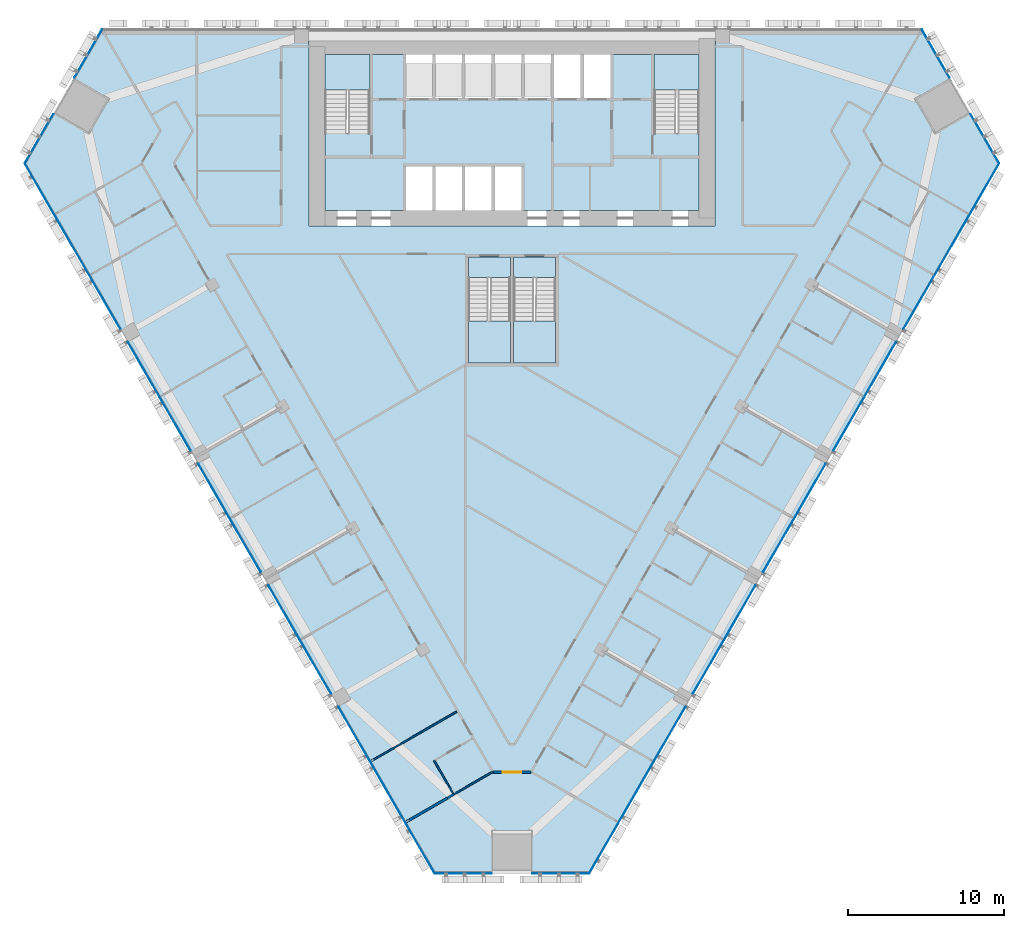
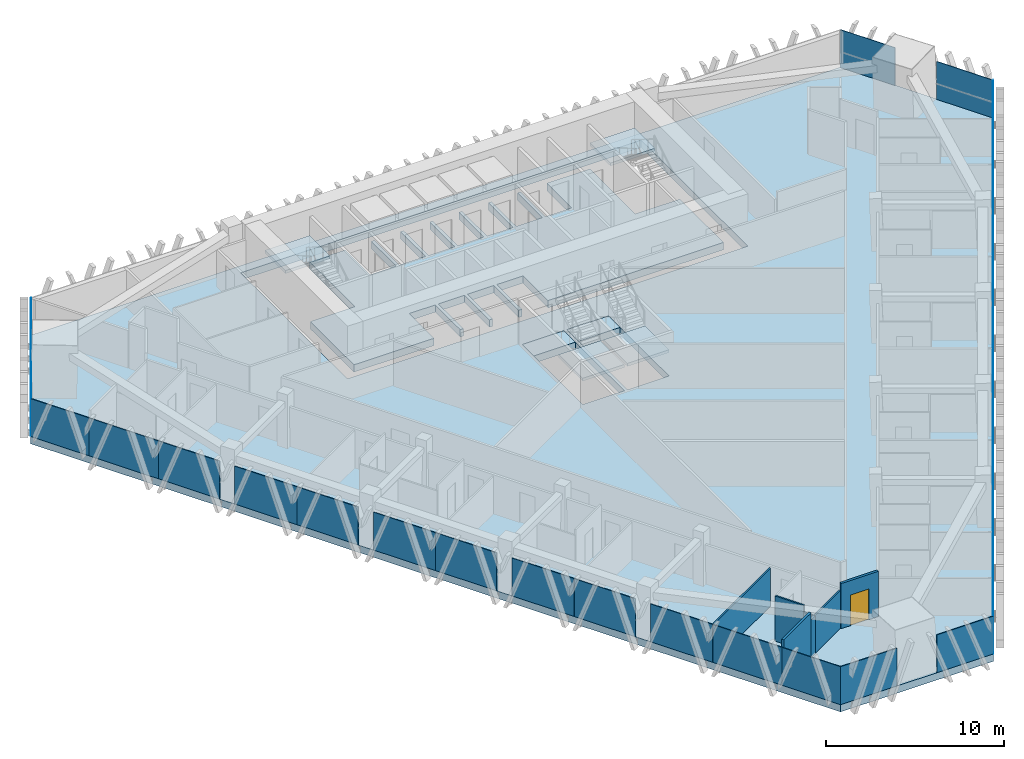
# One storey, part 9 of 17: 30 plates, 8 slabs, 7 walls, 1 door, 1 opening, 9 elements without a shape of their own.
"""IFC4 building model written with IfcOpenShell, lengths in metres."""

import ifcopenshell
import ifcopenshell.guid

model = None  # the IFC model being written
_history = None  # IfcOwnerHistory: only IFC2X3 demands one
_inside = {}  # id of a spatial element -> (the spatial element, [elements in it])
_under = {}  # id of a project, library or spatial element -> (it, [spatial elements below it])
_declared = {}  # id of a project -> (the project, [libraries it declares])
_typed = {}  # id of a type object -> (the type object, [elements of that type])
_made_of = {}  # id of a material, layer set ... -> (it, [elements and type objects made of it])


def new_model(schema):
    """Start an empty IFC model of exactly this schema.

    Asked for "IFC4X3", IfcOpenShell would pick the latest addendum, in which some entities
    have other attributes; the version numbers below select the first issue.
    IFC2X3 requires an IfcOwnerHistory on every rooted entity: one is made here for all.
    """
    global model, _history
    if schema == "IFC4X3":
        model = ifcopenshell.file(schema_version=(4, 3, 0, 0))
    else:
        model = ifcopenshell.file(schema=schema)
    _inside.clear()
    _under.clear()
    _declared.clear()
    _typed.clear()
    _made_of.clear()
    _history = None
    if model.schema == "IFC2X3":
        org = make("IfcOrganization", Name="unknown")
        user = make(
            "IfcPersonAndOrganization",
            ThePerson=make("IfcPerson", FamilyName="unknown"),
            TheOrganization=org,
        )
        app = make(
            "IfcApplication",
            ApplicationDeveloper=org,
            Version="unknown",
            ApplicationFullName="unknown",
            ApplicationIdentifier="unknown",
        )
        _history = make(
            "IfcOwnerHistory",
            OwningUser=user,
            OwningApplication=app,
            ChangeAction="ADDED",
            CreationDate=0,
        )
    return model


def make(cls, **values):
    """One entity of the class cls with the attributes given. An attribute that is None is left unset."""
    return model.create_entity(
        cls, **{name: value for name, value in values.items() if value is not None}
    )


def rooted(cls, **values):
    """An entity with a GlobalId (a new one), such as an element, a storey or a relation."""
    return make(cls, GlobalId=ifcopenshell.guid.new(), OwnerHistory=_history, **values)


def si_unit(unit_type, name, prefix=None):
    """IfcSIUnit, for example si_unit("LENGTHUNIT", "METRE", prefix="MILLI")."""
    return make("IfcSIUnit", UnitType=unit_type, Prefix=prefix, Name=name)


def assignment(units):
    """IfcUnitAssignment: the units of a project."""
    return None if units is None else make("IfcUnitAssignment", Units=units)


def point(xyz):
    """IfcCartesianPoint."""
    return None if xyz is None else make("IfcCartesianPoint", Coordinates=xyz)


def direction(xyz):
    """IfcDirection."""
    return None if xyz is None else make("IfcDirection", DirectionRatios=xyz)


def frame(location, z_axis=None, x_axis=None):
    """IfcAxis2Placement3D, a coordinate frame: its origin and axes. An axis left out is left unset."""
    return make(
        "IfcAxis2Placement3D",
        Location=point(location),
        Axis=direction(z_axis),
        RefDirection=direction(x_axis),
    )


def frame_2d(location, x_axis=None):
    """IfcAxis2Placement2D, a coordinate frame in the plane: its origin and x axis."""
    return make(
        "IfcAxis2Placement2D", Location=point(location), RefDirection=direction(x_axis)
    )


def origin():
    """The frame at (0, 0, 0) with its axes left unset."""
    return frame((0.0, 0.0, 0.0))


def origin_2d():
    """The frame at (0, 0) in the plane with its x axis left unset."""
    return frame_2d((0.0, 0.0))


def place(relative_to, where):
    """IfcLocalPlacement: puts the frame where relative to a parent placement (None: the world)."""
    return make(
        "IfcLocalPlacement", PlacementRelTo=relative_to, RelativePlacement=where
    )


def context(
    kind, dimensions, precision=None, world=None, true_north=None, identifier=None
):
    """IfcGeometricRepresentationContext, for example the 3D "Model" context."""
    return make(
        "IfcGeometricRepresentationContext",
        ContextIdentifier=identifier,
        ContextType=kind,
        CoordinateSpaceDimension=dimensions,
        Precision=precision,
        WorldCoordinateSystem=world,
        TrueNorth=true_north,
    )


def subcontext(parent, identifier, kind, view, scale=None):
    """IfcGeometricRepresentationSubContext, for example "Body" below "Model"."""
    return make(
        "IfcGeometricRepresentationSubContext",
        ContextIdentifier=identifier,
        ContextType=kind,
        ParentContext=parent,
        TargetScale=scale,
        TargetView=view,
    )


def project(units=None, contexts=None):
    """IfcProject with its units and contexts."""
    return rooted(
        "IfcProject",
        Name="project",
        RepresentationContexts=contexts,
        UnitsInContext=assignment(units),
    )


def spatial(cls, under=None, at=None, **own):
    """A site, building, storey or space (cls), placed at a placement, below another one or the project."""
    s = rooted(cls, ObjectPlacement=at, **own)
    if under is not None:
        _under.setdefault(under.id(), (under, []))[1].append(s)
    return s


def polyline(points):
    """IfcPolyline through the points."""
    return make("IfcPolyline", Points=[point(p) for p in points])


def profile(cls, at=None, kind="AREA", **sizes):
    """A parametric profile (cls). Its sizes go by their IFC names, for example OverallWidth=200.0."""
    return make(cls, ProfileType=kind, Position=at, **sizes)


def rectangle(**sizes):
    """IfcRectangleProfileDef."""
    return profile("IfcRectangleProfileDef", **sizes)


def outline(outer, holes=None, kind="AREA"):
    """IfcArbitraryClosedProfileDef: a profile drawn as a closed curve; with holes, ...WithVoids."""
    if holes is None:
        return make("IfcArbitraryClosedProfileDef", ProfileType=kind, OuterCurve=outer)
    return make(
        "IfcArbitraryProfileDefWithVoids",
        ProfileType=kind,
        OuterCurve=outer,
        InnerCurves=holes,
    )


def extrude(swept, where, along, depth):
    """IfcExtrudedAreaSolid: the profile swept, set in the frame where, extruded along a direction by depth."""
    return make(
        "IfcExtrudedAreaSolid",
        SweptArea=swept,
        Position=where,
        ExtrudedDirection=direction(along),
        Depth=depth,
    )


def shape(context_of_items, identifier, shape_type, items):
    """IfcShapeRepresentation: the items that make up one representation, for example the "Body"."""
    return make(
        "IfcShapeRepresentation",
        ContextOfItems=context_of_items,
        RepresentationIdentifier=identifier,
        RepresentationType=shape_type,
        Items=items,
    )


def material(Name=None, Category=None):
    """IfcMaterial."""
    return make("IfcMaterial", Name=Name, Category=Category)


def layer(
    of_material, thickness, ventilated=None, Name=None, Category=None, Priority=None
):
    """IfcMaterialLayer: one layer of a wall or slab, of a material (None: an air gap)."""
    return make(
        "IfcMaterialLayer",
        Material=of_material,
        LayerThickness=thickness,
        IsVentilated=ventilated,
        Name=Name,
        Category=Category,
        Priority=Priority,
    )


def layer_set(layers, Name=None):
    """IfcMaterialLayerSet."""
    return make("IfcMaterialLayerSet", MaterialLayers=layers, LayerSetName=Name)


def made_of(thing, what):
    """Note that an element or type object is made of a material, layer set ...; save() writes the relation."""
    if what is not None:
        _made_of.setdefault(what.id(), (what, []))[1].append(thing)
    return thing


def type_object(cls, material=None, **own):
    """A type object (cls), such as IfcWallType, which elements share."""
    return made_of(rooted(cls, **own), material)


def element(
    cls,
    number,
    at=None,
    inside=None,
    cuts=None,
    type_object=None,
    material=None,
    context=None,
    identifier="Body",
    shape_type=None,
    held_by="IfcProductDefinitionShape",
    body=None,
    shapes=None,
    **own,
):
    """One element of the class cls, such as IfcWall. Its Tag is "e" and its number.

    at: its placement. inside: the storey or other place that contains it. cuts: it is an
    opening in that element (IfcRelVoidsElement). A single representation is given by context,
    identifier, shape_type and body (its items); several are given by shapes. held_by: the class
    of the entity that holds the representations. save() writes the other relations.
    """
    e = rooted(cls, Tag="e%d" % number, ObjectPlacement=at, **own)
    if body is not None:
        shapes = [shape(context, identifier, shape_type, body)]
    if shapes is not None:
        e.Representation = make(held_by, Representations=shapes)
    if inside is not None:
        _inside.setdefault(inside.id(), (inside, []))[1].append(e)
    if cuts is not None:
        rooted(
            "IfcRelVoidsElement", RelatingBuildingElement=cuts, RelatedOpeningElement=e
        )
    if type_object is not None:
        _typed.setdefault(type_object.id(), (type_object, []))[1].append(e)
    return made_of(e, material)


def fill(opening, filler):
    """IfcRelFillsElement: the door or window that sits in an opening."""
    return rooted(
        "IfcRelFillsElement",
        RelatingOpeningElement=opening,
        RelatedBuildingElement=filler,
    )


def aggregate(whole, parts):
    """IfcRelAggregates: a whole, such as a stair, and the parts it consists of."""
    return rooted("IfcRelAggregates", RelatingObject=whole, RelatedObjects=parts)


def save(model, path):
    """Write the relations noted so far, then the file.

    IfcRelAggregates (storeys below a building ...), IfcRelContainedInSpatialStructure (elements
    in a storey), IfcRelDefinesByType, IfcRelAssociatesMaterial and IfcRelDeclares: one each for
    every whole, place, type object, material and project.
    """
    for whole, parts in _under.values():
        aggregate(whole, parts)
    for where, things in _inside.values():
        rooted(
            "IfcRelContainedInSpatialStructure",
            RelatedElements=things,
            RelatingStructure=where,
        )
    for kind, things in _typed.values():
        rooted("IfcRelDefinesByType", RelatedObjects=things, RelatingType=kind)
    for what, things in _made_of.values():
        rooted("IfcRelAssociatesMaterial", RelatedObjects=things, RelatingMaterial=what)
    for by, libraries in _declared.values():
        rooted("IfcRelDeclares", RelatingContext=by, RelatedDefinitions=libraries)
    model.write(path)


model = new_model("IFC4")

# Units and contexts
model_context = context("Model", 3, precision=1e-05, world=origin(), true_north=direction((0.0, 1.0)))
body_context = subcontext(model_context, "Body", "Model", "MODEL_VIEW")
ifc_project = project(units=[si_unit("LENGTHUNIT", "METRE"), si_unit("AREAUNIT", "SQUARE_METRE"), si_unit("VOLUMEUNIT", "CUBIC_METRE"), si_unit("PLANEANGLEUNIT", "RADIAN"), si_unit("MASSUNIT", "GRAM", prefix="KILO")], contexts=[model_context])

# Site, building, storey
site_placement = place(None, origin())
site = spatial("IfcSite", under=ifc_project, at=site_placement, CompositionType="ELEMENT")
building_placement = place(site_placement, origin())
building = spatial("IfcBuilding", under=site, at=building_placement, Name="Altiplano Prism Tower", CompositionType="ELEMENT")
storey_placement = place(building_placement, frame((0.0, 0.0, 30.60009765625)))
storey = spatial("IfcBuildingStorey", under=building, at=storey_placement, Name="L06", CompositionType="ELEMENT", Elevation=30.60009765625)

# Curtain wall, plates
ifc_material_1 = material(Name="Aluminium and glass", Category="aluminium")
ifc_layer_1 = layer(ifc_material_1, 0.280029296875)
ifc_layer_set_1 = layer_set([ifc_layer_1], Name="Aluminium and glass")
curtain_wall_type = type_object("IfcCurtainWallType", Name="CW1 typical co-living unitised curtain wall", PredefinedType="NOTDEFINED", material=ifc_layer_set_1)
curtain_wall_1_placement = place(storey_placement, origin())
curtain_wall_1 = element("IfcCurtainWall", 1, at=curtain_wall_1_placement, inside=storey, type_object=curtain_wall_type, Name="CW1 curtain wall north-west chamfer L06", PredefinedType="NOTDEFINED")
ifc_material_2 = material(Name="Clear glass", Category="glass")
ifc_layer_2 = layer(ifc_material_2, 0.0400390625)
ifc_layer_set_2 = layer_set([ifc_layer_2], Name="Clear glass")
plate_type = type_object("IfcPlateType", Name="CW1 insulated glass unit 40", PredefinedType="CURTAIN_PANEL", material=ifc_layer_set_2)
plate_1_placement = place(storey_placement, frame((57.831787109375, 103.439208984375, -0.000244140625), z_axis=(0.0, 0.0, 1.0), x_axis=(-0.500000002721, -0.866025402214, 0.0)))
plate_1 = element("IfcPlate", 2, at=plate_1_placement, type_object=plate_type, Name="CW1 panel", PredefinedType="CURTAIN_PANEL", context=body_context, shape_type="SweptSolid", body=[
    extrude(rectangle(XDim=3.571533203125, YDim=0.0400390625, at=origin_2d()), origin(), (0.0, 0.0, 1.0), 2.60009765625),
])
plate_2_placement = place(storey_placement, frame((54.68115234375, 97.98193359375, -0.000244140625), z_axis=(0.0, 0.0, 1.0), x_axis=(-0.500000002721, -0.866025402214, 0.0)))
plate_2 = element("IfcPlate", 3, at=plate_2_placement, type_object=plate_type, Name="CW1 panel", PredefinedType="CURTAIN_PANEL", context=body_context, shape_type="SweptSolid", body=[
    extrude(rectangle(XDim=3.651611328125, YDim=0.0400390625, at=origin_2d()), origin(), (0.0, 0.0, 1.0), 2.60009765625),
])
aggregate(curtain_wall_1, [plate_1, plate_2])

curtain_wall_2_placement = place(storey_placement, origin())
curtain_wall_2 = element("IfcCurtainWall", 4, at=curtain_wall_2_placement, inside=storey, type_object=curtain_wall_type, Name="CW1 curtain wall south-west face L06", PredefinedType="NOTDEFINED")
plate_3_placement = place(storey_placement, frame((54.71337890625, 94.775146484375, -0.000244140625), z_axis=(0.0, 0.0, 1.0), x_axis=(0.500000001557, -0.866025402886, 0.0)))
plate_3 = element("IfcPlate", 5, at=plate_3_placement, type_object=plate_type, Name="CW1 panel", PredefinedType="CURTAIN_PANEL", context=body_context, shape_type="SweptSolid", body=[
    extrude(rectangle(XDim=3.780029296875, YDim=0.0400390625, at=origin_2d()), origin(), (0.0, 0.0, 1.0), 2.60009765625),
])
plate_4_placement = place(storey_placement, frame((56.785888671875, 91.185546875, -0.000244140625), z_axis=(0.0, 0.0, 1.0), x_axis=(0.500000001557, -0.866025402886, 0.0)))
plate_4 = element("IfcPlate", 6, at=plate_4_placement, type_object=plate_type, Name="CW1 panel", PredefinedType="CURTAIN_PANEL", context=body_context, shape_type="SweptSolid", body=[
    extrude(rectangle(XDim=4.489990234375, YDim=0.0400390625, at=origin_2d()), origin(), (0.0, 0.0, 1.0), 2.60009765625),
])
plate_5_placement = place(storey_placement, frame((58.9033203125, 87.517822265625, -0.000244140625), z_axis=(0.0, 0.0, 1.0), x_axis=(0.500000001557, -0.866025402886, 0.0)))
plate_5 = element("IfcPlate", 7, at=plate_5_placement, type_object=plate_type, Name="CW1 panel", PredefinedType="CURTAIN_PANEL", context=body_context, shape_type="SweptSolid", body=[
    extrude(rectangle(XDim=3.96044921875, YDim=0.0400390625, at=origin_2d()), origin(), (0.0, 0.0, 1.0), 2.60009765625),
])
plate_6_placement = place(storey_placement, frame((61.3984375, 83.1962890625, -0.000244140625), z_axis=(0.0, 0.0, 1.0), x_axis=(0.500000001557, -0.866025402886, 0.0)))
plate_6 = element("IfcPlate", 8, at=plate_6_placement, type_object=plate_type, Name="CW1 panel", PredefinedType="CURTAIN_PANEL", context=body_context, shape_type="SweptSolid", body=[
    extrude(rectangle(XDim=4.039306640625, YDim=0.0400390625, at=origin_2d()), origin(), (0.0, 0.0, 1.0), 2.60009765625),
])
plate_7_placement = place(storey_placement, frame((63.4033203125, 79.723388671875, -0.000244140625), z_axis=(0.0, 0.0, 1.0), x_axis=(0.500000001557, -0.866025402886, 0.0)))
plate_7 = element("IfcPlate", 9, at=plate_7_placement, type_object=plate_type, Name="CW1 panel", PredefinedType="CURTAIN_PANEL", context=body_context, shape_type="SweptSolid", body=[
    extrude(rectangle(XDim=3.96044921875, YDim=0.0400390625, at=origin_2d()), origin(), (0.0, 0.0, 1.0), 2.60009765625),
])
plate_8_placement = place(storey_placement, frame((65.8984375, 75.40185546875, -0.000244140625), z_axis=(0.0, 0.0, 1.0), x_axis=(0.500000001557, -0.866025402886, 0.0)))
plate_8 = element("IfcPlate", 10, at=plate_8_placement, type_object=plate_type, Name="CW1 panel", PredefinedType="CURTAIN_PANEL", context=body_context, shape_type="SweptSolid", body=[
    extrude(rectangle(XDim=4.039306640625, YDim=0.0400390625, at=origin_2d()), origin(), (0.0, 0.0, 1.0), 2.60009765625),
])
plate_9_placement = place(storey_placement, frame((67.9033203125, 71.92919921875, -0.000244140625), z_axis=(0.0, 0.0, 1.0), x_axis=(0.500000001557, -0.866025402886, 0.0)))
plate_9 = element("IfcPlate", 11, at=plate_9_placement, type_object=plate_type, Name="CW1 panel", PredefinedType="CURTAIN_PANEL", context=body_context, shape_type="SweptSolid", body=[
    extrude(rectangle(XDim=3.96044921875, YDim=0.0400390625, at=origin_2d()), origin(), (0.0, 0.0, 1.0), 2.60009765625),
])
plate_10_placement = place(storey_placement, frame((70.3984375, 67.607666015625, -0.000244140625), z_axis=(0.0, 0.0, 1.0), x_axis=(0.500000001557, -0.866025402886, 0.0)))
plate_10 = element("IfcPlate", 12, at=plate_10_placement, type_object=plate_type, Name="CW1 panel", PredefinedType="CURTAIN_PANEL", context=body_context, shape_type="SweptSolid", body=[
    extrude(rectangle(XDim=4.039306640625, YDim=0.0400390625, at=origin_2d()), origin(), (0.0, 0.0, 1.0), 2.60009765625),
])
plate_11_placement = place(storey_placement, frame((72.4033203125, 64.135009765625, -0.000244140625), z_axis=(0.0, 0.0, 1.0), x_axis=(0.500000001557, -0.866025402886, 0.0)))
plate_11 = element("IfcPlate", 13, at=plate_11_placement, type_object=plate_type, Name="CW1 panel", PredefinedType="CURTAIN_PANEL", context=body_context, shape_type="SweptSolid", body=[
    extrude(rectangle(XDim=3.96044921875, YDim=0.0400390625, at=origin_2d()), origin(), (0.0, 0.0, 1.0), 2.60009765625),
])
plate_12_placement = place(storey_placement, frame((74.8984375, 59.8134765625, -0.000244140625), z_axis=(0.0, 0.0, 1.0), x_axis=(0.500000001557, -0.866025402886, 0.0)))
plate_12 = element("IfcPlate", 14, at=plate_12_placement, type_object=plate_type, Name="CW1 panel", PredefinedType="CURTAIN_PANEL", context=body_context, shape_type="SweptSolid", body=[
    extrude(rectangle(XDim=4.039306640625, YDim=0.0400390625, at=origin_2d()), origin(), (0.0, 0.0, 1.0), 2.60009765625),
])
plate_13_placement = place(storey_placement, frame((77.035888671875, 56.111572265625, -0.000244140625), z_axis=(0.0, 0.0, 1.0), x_axis=(0.500000001557, -0.866025402886, 0.0)))
plate_13 = element("IfcPlate", 15, at=plate_13_placement, type_object=plate_type, Name="CW1 panel", PredefinedType="CURTAIN_PANEL", context=body_context, shape_type="SweptSolid", body=[
    extrude(rectangle(XDim=4.489990234375, YDim=0.0400390625, at=origin_2d()), origin(), (0.0, 0.0, 1.0), 2.60009765625),
])
plate_14_placement = place(storey_placement, frame((79.1083984375, 52.521728515625, -0.000244140625), z_axis=(0.0, 0.0, 1.0), x_axis=(0.500000001557, -0.866025402886, 0.0)))
plate_14 = element("IfcPlate", 16, at=plate_14_placement, type_object=plate_type, Name="CW1 panel", PredefinedType="CURTAIN_PANEL", context=body_context, shape_type="SweptSolid", body=[
    extrude(rectangle(XDim=3.780029296875, YDim=0.0400390625, at=origin_2d()), origin(), (0.0, 0.0, 1.0), 2.60009765625),
])
aggregate(curtain_wall_2, [plate_3, plate_4, plate_5, plate_6, plate_7, plate_8, plate_9, plate_10, plate_11, plate_12, plate_13, plate_14])

curtain_wall_3_placement = place(storey_placement, origin())
curtain_wall_3 = element("IfcCurtainWall", 17, at=curtain_wall_3_placement, inside=storey, type_object=curtain_wall_type, Name="CW1 curtain wall south chamfer L06", PredefinedType="NOTDEFINED")
plate_15_placement = place(storey_placement, frame((81.869140625, 50.890625, -0.000244140625), z_axis=(0.0, 0.0, 1.0), x_axis=(1.0, 0.0, 0.0)))
plate_15 = element("IfcPlate", 18, at=plate_15_placement, type_object=plate_type, Name="CW1 panel", PredefinedType="CURTAIN_PANEL", context=body_context, shape_type="SweptSolid", body=[
    extrude(rectangle(XDim=3.651611328125, YDim=0.0400390625, at=origin_2d()), origin(), (0.0, 0.0, 1.0), 2.60009765625),
])
plate_16_placement = place(storey_placement, frame((88.130859375, 50.890625, -0.000244140625), z_axis=(0.0, 0.0, 1.0), x_axis=(1.0, 0.0, 0.0)))
plate_16 = element("IfcPlate", 19, at=plate_16_placement, type_object=plate_type, Name="CW1 panel", PredefinedType="CURTAIN_PANEL", context=body_context, shape_type="SweptSolid", body=[
    extrude(rectangle(XDim=3.651611328125, YDim=0.0400390625, at=origin_2d()), origin(), (0.0, 0.0, 1.0), 2.60009765625),
])
aggregate(curtain_wall_3, [plate_15, plate_16])

curtain_wall_4_placement = place(storey_placement, origin())
curtain_wall_4 = element("IfcCurtainWall", 20, at=curtain_wall_4_placement, inside=storey, type_object=curtain_wall_type, Name="CW1 curtain wall south-east face L06", PredefinedType="NOTDEFINED")
plate_17_placement = place(storey_placement, frame((90.8916015625, 52.521728515625, -0.000244140625), z_axis=(0.0, 0.0, 1.0), x_axis=(0.500000001557, 0.866025402886, 0.0)))
plate_17 = element("IfcPlate", 21, at=plate_17_placement, type_object=plate_type, Name="CW1 panel", PredefinedType="CURTAIN_PANEL", context=body_context, shape_type="SweptSolid", body=[
    extrude(rectangle(XDim=3.780029296875, YDim=0.0400390625, at=origin_2d()), origin(), (0.0, 0.0, 1.0), 2.60009765625),
])
plate_18_placement = place(storey_placement, frame((92.964111328125, 56.111572265625, -0.000244140625), z_axis=(0.0, 0.0, 1.0), x_axis=(0.500000001557, 0.866025402886, 0.0)))
plate_18 = element("IfcPlate", 22, at=plate_18_placement, type_object=plate_type, Name="CW1 panel", PredefinedType="CURTAIN_PANEL", context=body_context, shape_type="SweptSolid", body=[
    extrude(rectangle(XDim=4.489990234375, YDim=0.0400390625, at=origin_2d()), origin(), (0.0, 0.0, 1.0), 2.60009765625),
])
plate_19_placement = place(storey_placement, frame((95.1015625, 59.8134765625, -0.000244140625), z_axis=(0.0, 0.0, 1.0), x_axis=(0.500000001557, 0.866025402886, 0.0)))
plate_19 = element("IfcPlate", 23, at=plate_19_placement, type_object=plate_type, Name="CW1 panel", PredefinedType="CURTAIN_PANEL", context=body_context, shape_type="SweptSolid", body=[
    extrude(rectangle(XDim=4.039306640625, YDim=0.0400390625, at=origin_2d()), origin(), (0.0, 0.0, 1.0), 2.60009765625),
])
plate_20_placement = place(storey_placement, frame((97.5966796875, 64.135009765625, -0.000244140625), z_axis=(0.0, 0.0, 1.0), x_axis=(0.500000001557, 0.866025402886, 0.0)))
plate_20 = element("IfcPlate", 24, at=plate_20_placement, type_object=plate_type, Name="CW1 panel", PredefinedType="CURTAIN_PANEL", context=body_context, shape_type="SweptSolid", body=[
    extrude(rectangle(XDim=3.96044921875, YDim=0.0400390625, at=origin_2d()), origin(), (0.0, 0.0, 1.0), 2.60009765625),
])
plate_21_placement = place(storey_placement, frame((99.6015625, 67.607666015625, -0.000244140625), z_axis=(0.0, 0.0, 1.0), x_axis=(0.500000001557, 0.866025402886, 0.0)))
plate_21 = element("IfcPlate", 25, at=plate_21_placement, type_object=plate_type, Name="CW1 panel", PredefinedType="CURTAIN_PANEL", context=body_context, shape_type="SweptSolid", body=[
    extrude(rectangle(XDim=4.039306640625, YDim=0.0400390625, at=origin_2d()), origin(), (0.0, 0.0, 1.0), 2.60009765625),
])
plate_22_placement = place(storey_placement, frame((102.0966796875, 71.92919921875, -0.000244140625), z_axis=(0.0, 0.0, 1.0), x_axis=(0.500000001557, 0.866025402886, 0.0)))
plate_22 = element("IfcPlate", 26, at=plate_22_placement, type_object=plate_type, Name="CW1 panel", PredefinedType="CURTAIN_PANEL", context=body_context, shape_type="SweptSolid", body=[
    extrude(rectangle(XDim=3.96044921875, YDim=0.0400390625, at=origin_2d()), origin(), (0.0, 0.0, 1.0), 2.60009765625),
])
plate_23_placement = place(storey_placement, frame((104.1015625, 75.40185546875, -0.000244140625), z_axis=(0.0, 0.0, 1.0), x_axis=(0.500000001557, 0.866025402886, 0.0)))
plate_23 = element("IfcPlate", 27, at=plate_23_placement, type_object=plate_type, Name="CW1 panel", PredefinedType="CURTAIN_PANEL", context=body_context, shape_type="SweptSolid", body=[
    extrude(rectangle(XDim=4.039306640625, YDim=0.0400390625, at=origin_2d()), origin(), (0.0, 0.0, 1.0), 2.60009765625),
])
plate_24_placement = place(storey_placement, frame((106.5966796875, 79.723388671875, -0.000244140625), z_axis=(0.0, 0.0, 1.0), x_axis=(0.500000001557, 0.866025402886, 0.0)))
plate_24 = element("IfcPlate", 28, at=plate_24_placement, type_object=plate_type, Name="CW1 panel", PredefinedType="CURTAIN_PANEL", context=body_context, shape_type="SweptSolid", body=[
    extrude(rectangle(XDim=3.96044921875, YDim=0.0400390625, at=origin_2d()), origin(), (0.0, 0.0, 1.0), 2.60009765625),
])
plate_25_placement = place(storey_placement, frame((108.6015625, 83.1962890625, -0.000244140625), z_axis=(0.0, 0.0, 1.0), x_axis=(0.500000001557, 0.866025402886, 0.0)))
plate_25 = element("IfcPlate", 29, at=plate_25_placement, type_object=plate_type, Name="CW1 panel", PredefinedType="CURTAIN_PANEL", context=body_context, shape_type="SweptSolid", body=[
    extrude(rectangle(XDim=4.039306640625, YDim=0.0400390625, at=origin_2d()), origin(), (0.0, 0.0, 1.0), 2.60009765625),
])
plate_26_placement = place(storey_placement, frame((111.0966796875, 87.517822265625, -0.000244140625), z_axis=(0.0, 0.0, 1.0), x_axis=(0.500000001557, 0.866025402886, 0.0)))
plate_26 = element("IfcPlate", 30, at=plate_26_placement, type_object=plate_type, Name="CW1 panel", PredefinedType="CURTAIN_PANEL", context=body_context, shape_type="SweptSolid", body=[
    extrude(rectangle(XDim=3.96044921875, YDim=0.0400390625, at=origin_2d()), origin(), (0.0, 0.0, 1.0), 2.60009765625),
])
plate_27_placement = place(storey_placement, frame((113.214111328125, 91.185546875, -0.000244140625), z_axis=(0.0, 0.0, 1.0), x_axis=(0.500000001557, 0.866025402886, 0.0)))
plate_27 = element("IfcPlate", 31, at=plate_27_placement, type_object=plate_type, Name="CW1 panel", PredefinedType="CURTAIN_PANEL", context=body_context, shape_type="SweptSolid", body=[
    extrude(rectangle(XDim=4.489990234375, YDim=0.0400390625, at=origin_2d()), origin(), (0.0, 0.0, 1.0), 2.60009765625),
])
plate_28_placement = place(storey_placement, frame((115.28662109375, 94.775146484375, -0.000244140625), z_axis=(0.0, 0.0, 1.0), x_axis=(0.500000001557, 0.866025402886, 0.0)))
plate_28 = element("IfcPlate", 32, at=plate_28_placement, type_object=plate_type, Name="CW1 panel", PredefinedType="CURTAIN_PANEL", context=body_context, shape_type="SweptSolid", body=[
    extrude(rectangle(XDim=3.780029296875, YDim=0.0400390625, at=origin_2d()), origin(), (0.0, 0.0, 1.0), 2.60009765625),
])
aggregate(curtain_wall_4, [plate_17, plate_18, plate_19, plate_20, plate_21, plate_22, plate_23, plate_24, plate_25, plate_26, plate_27, plate_28])

curtain_wall_5_placement = place(storey_placement, origin())
curtain_wall_5 = element("IfcCurtainWall", 33, at=curtain_wall_5_placement, inside=storey, type_object=curtain_wall_type, Name="CW1 curtain wall north-east chamfer L06", PredefinedType="NOTDEFINED")
plate_29_placement = place(storey_placement, frame((115.31884765625, 97.98193359375, -0.000244140625), z_axis=(0.0, 0.0, 1.0), x_axis=(-0.500000002721, 0.866025402214, 0.0)))
plate_29 = element("IfcPlate", 34, at=plate_29_placement, type_object=plate_type, Name="CW1 panel", PredefinedType="CURTAIN_PANEL", context=body_context, shape_type="SweptSolid", body=[
    extrude(rectangle(XDim=3.651611328125, YDim=0.0400390625, at=origin_2d()), origin(), (0.0, 0.0, 1.0), 2.60009765625),
])
plate_30_placement = place(storey_placement, frame((112.168212890625, 103.439208984375, -0.000244140625), z_axis=(0.0, 0.0, 1.0), x_axis=(-0.500000002721, 0.866025402214, 0.0)))
plate_30 = element("IfcPlate", 35, at=plate_30_placement, type_object=plate_type, Name="CW1 panel", PredefinedType="CURTAIN_PANEL", context=body_context, shape_type="SweptSolid", body=[
    extrude(rectangle(XDim=3.571533203125, YDim=0.0400390625, at=origin_2d()), origin(), (0.0, 0.0, 1.0), 2.60009765625),
])
aggregate(curtain_wall_5, [plate_29, plate_30])

# Slabs
ifc_material_3 = material(Name="Concrete C40/50", Category="concrete")
ifc_layer_3 = layer(ifc_material_3, 0.5)
ifc_layer_set_3 = layer_set([ifc_layer_3], Name="Concrete C40/50")
slab_type_1 = type_object("IfcSlabType", Name="Core floor slab 500", PredefinedType="FLOOR", material=ifc_layer_set_3)
slab_1_placement = place(storey_placement, frame((0.0, 0.0, -0.5)))
element("IfcSlab", 36, at=slab_1_placement, inside=storey, type_object=slab_type_1, Name="Core floor slab L06", PredefinedType="FLOOR", context=body_context, shape_type="SweptSolid", body=[
    extrude(outline(polyline([(97.0, 98.31005859375), (94.10009765625, 98.31005859375), (94.10009765625, 103.39990234375), (91.300048828125, 103.39990234375), (91.300048828125, 100.60009765625), (89.60009765625, 100.60009765625), (89.60009765625, 103.39990234375), (89.39990234375, 103.39990234375), (89.39990234375, 100.60009765625), (87.699951171875, 100.60009765625), (87.699951171875, 103.39990234375), (87.5, 103.39990234375), (87.5, 100.60009765625), (85.800048828125, 100.60009765625), (85.800048828125, 103.39990234375), (85.60009765625, 103.39990234375), (85.60009765625, 100.60009765625), (83.89990234375, 100.60009765625), (83.89990234375, 103.39990234375), (83.699951171875, 103.39990234375), (83.699951171875, 100.60009765625), (82.0, 100.60009765625), (82.0, 103.39990234375), (81.800048828125, 103.39990234375), (81.800048828125, 100.60009765625), (80.10009765625, 100.60009765625), (80.10009765625, 103.39990234375), (79.89990234375, 103.39990234375), (79.89990234375, 100.60009765625), (78.199951171875, 100.60009765625), (78.199951171875, 103.39990234375), (75.89990234375, 103.39990234375), (75.89990234375, 98.31005859375), (73.0, 98.31005859375), (73.0, 93.39990234375), (78.199951171875, 93.39990234375), (78.199951171875, 96.199951171875), (79.89990234375, 96.199951171875), (79.89990234375, 93.39990234375), (80.10009765625, 93.39990234375), (80.10009765625, 96.199951171875), (81.800048828125, 96.199951171875), (81.800048828125, 93.39990234375), (82.0, 93.39990234375), (82.0, 96.199951171875), (83.699951171875, 96.199951171875), (83.699951171875, 93.39990234375), (83.89990234375, 93.39990234375), (83.89990234375, 96.199951171875), (85.60009765625, 96.199951171875), (85.60009765625, 93.39990234375), (97.0, 93.39990234375), (97.0, 98.31005859375)])), origin(), (0.0, 0.0, 1.0), 0.5),
])
slab_2_placement = place(storey_placement, frame((0.0, 0.0, -0.5)))
element("IfcSlab", 37, at=slab_2_placement, inside=storey, type_object=slab_type_1, Name="Stair 3A landing slab L06", PredefinedType="FLOOR", context=body_context, shape_type="SweptSolid", body=[
    extrude(outline(polyline([(82.199951171875, 89.096923828125), (84.89990234375, 89.096923828125), (84.89990234375, 90.39990234375), (82.199951171875, 90.39990234375), (82.199951171875, 89.096923828125)])), origin(), (0.0, 0.0, 1.0), 0.5),
])
slab_3_placement = place(storey_placement, frame((0.0, 0.0, -0.5)))
element("IfcSlab", 38, at=slab_3_placement, inside=storey, type_object=slab_type_1, Name="Stair 3B landing slab L06", PredefinedType="FLOOR", context=body_context, shape_type="SweptSolid", body=[
    extrude(outline(polyline([(85.10009765625, 89.096923828125), (87.800048828125, 89.096923828125), (87.800048828125, 90.39990234375), (85.10009765625, 90.39990234375), (85.10009765625, 89.096923828125)])), origin(), (0.0, 0.0, 1.0), 0.5),
])
ifc_layer_4 = layer(ifc_material_3, 0.5)
ifc_layer_set_4 = layer_set([ifc_layer_4], Name="Concrete C40/50")
slab_type_2 = type_object("IfcSlabType", Name="Post-tensioned flat slab 500", PredefinedType="FLOOR", material=ifc_layer_set_4)
slab_4_placement = place(storey_placement, frame((0.0, 0.0, -0.5)))
element("IfcSlab", 39, at=slab_4_placement, inside=storey, type_object=slab_type_2, Name="Floor slab L06", PredefinedType="FLOOR", context=body_context, shape_type="SweptSolid", body=[
    extrude(outline(polyline([(80.03857421875, 50.87060546875), (53.74853515625, 96.406494140625), (58.7099609375, 105.0), (111.2900390625, 105.0), (116.25146484375, 96.406494140625), (89.96142578125, 50.87060546875), (80.03857421875, 50.87060546875)]), holes=[polyline([(72.0, 104.39990234375), (72.0, 92.39990234375), (98.0, 92.39990234375), (98.0, 104.39990234375), (72.0, 104.39990234375)]), polyline([(84.89990234375, 90.39990234375), (82.199951171875, 90.39990234375), (82.199951171875, 83.60009765625), (84.89990234375, 83.60009765625), (84.89990234375, 90.39990234375)]), polyline([(87.800048828125, 83.60009765625), (87.800048828125, 90.39990234375), (85.10009765625, 90.39990234375), (85.10009765625, 83.60009765625), (87.800048828125, 83.60009765625)])]), origin(), (0.0, 0.0, 1.0), 0.5),
])

# Stair, slab
stair_type_1 = type_object("IfcStairType", Name="Exit stair 1400", PredefinedType="HALF_TURN_STAIR", material=ifc_material_3)
stair_1_placement = place(storey_placement, origin())
stair_1 = element("IfcStair", 40, at=stair_1_placement, inside=storey, type_object=stair_type_1, Name="L06 Exit Stair 1", PredefinedType="HALF_TURN_STAIR")
ifc_layer_5 = layer(ifc_material_3, 0.199951171875)
ifc_layer_set_5 = layer_set([ifc_layer_5], Name="Concrete C40/50")
slab_type_3 = type_object("IfcSlabType", Name="Stair landing 200", PredefinedType="LANDING", material=ifc_layer_set_5)
slab_5_placement = place(storey_placement, frame((0.0, 0.0, 1.599853515625)))
slab_5 = element("IfcSlab", 41, at=slab_5_placement, type_object=slab_type_3, Name="ST1 landing 1", PredefinedType="LANDING", context=body_context, shape_type="SweptSolid", body=[
    extrude(outline(polyline([(75.89990234375, 101.096923828125), (75.89990234375, 103.39990234375), (73.0, 103.39990234375), (73.0, 101.096923828125), (75.89990234375, 101.096923828125)])), origin(), (0.0, 0.0, 1.0), 0.199951171875),
])
aggregate(stair_1, [slab_5])

stair_2_placement = place(storey_placement, origin())
stair_2 = element("IfcStair", 42, at=stair_2_placement, inside=storey, type_object=stair_type_1, Name="L06 Exit Stair 2", PredefinedType="HALF_TURN_STAIR")
slab_6_placement = place(storey_placement, frame((0.0, 0.0, 1.599853515625)))
slab_6 = element("IfcSlab", 43, at=slab_6_placement, type_object=slab_type_3, Name="ST2 landing 1", PredefinedType="LANDING", context=body_context, shape_type="SweptSolid", body=[
    extrude(outline(polyline([(97.0, 101.096923828125), (97.0, 103.39990234375), (94.10009765625, 103.39990234375), (94.10009765625, 101.096923828125), (97.0, 101.096923828125)])), origin(), (0.0, 0.0, 1.0), 0.199951171875),
])
aggregate(stair_2, [slab_6])

stair_type_2 = type_object("IfcStairType", Name="Exit stair 1300", PredefinedType="HALF_TURN_STAIR", material=ifc_material_3)
stair_3_placement = place(storey_placement, origin())
stair_3 = element("IfcStair", 44, at=stair_3_placement, inside=storey, type_object=stair_type_2, Name="L06 Exit Stair 3A", PredefinedType="HALF_TURN_STAIR")
slab_7_placement = place(storey_placement, frame((0.0, 0.0, 1.599853515625)))
slab_7 = element("IfcSlab", 45, at=slab_7_placement, type_object=slab_type_3, Name="ST3A landing 1", PredefinedType="LANDING", context=body_context, shape_type="SweptSolid", body=[
    extrude(outline(polyline([(82.199951171875, 86.302978515625), (82.199951171875, 83.60009765625), (84.89990234375, 83.60009765625), (84.89990234375, 86.302978515625), (82.199951171875, 86.302978515625)])), origin(), (0.0, 0.0, 1.0), 0.199951171875),
])
aggregate(stair_3, [slab_7])

stair_4_placement = place(storey_placement, origin())
stair_4 = element("IfcStair", 46, at=stair_4_placement, inside=storey, type_object=stair_type_2, Name="L06 Exit Stair 3B", PredefinedType="HALF_TURN_STAIR")
slab_8_placement = place(storey_placement, frame((0.0, 0.0, 1.599853515625)))
slab_8 = element("IfcSlab", 47, at=slab_8_placement, type_object=slab_type_3, Name="ST3B landing 1", PredefinedType="LANDING", context=body_context, shape_type="SweptSolid", body=[
    extrude(outline(polyline([(85.10009765625, 86.302978515625), (85.10009765625, 83.60009765625), (87.800048828125, 83.60009765625), (87.800048828125, 86.302978515625), (85.10009765625, 86.302978515625)])), origin(), (0.0, 0.0, 1.0), 0.199951171875),
])
aggregate(stair_4, [slab_8])

# Walls
ifc_material_4 = material(Name="Plasterboard on steel stud", Category="steel")
ifc_layer_6 = layer(ifc_material_4, 0.10009765625)
ifc_layer_set_6 = layer_set([ifc_layer_6], Name="Plasterboard on steel stud")
wall_type_1 = type_object("IfcWallType", Name="Partition 100 unit", PredefinedType="PARTITIONING", material=ifc_layer_set_6)
wall_1_placement = place(storey_placement, frame((81.2236328125, 56.017822265625, 0.0), z_axis=(0.0, 0.0, 1.0), x_axis=(-0.499986503906, 0.866033195618, 0.0)))
element("IfcWall", 48, at=wall_1_placement, inside=storey, type_object=wall_type_1, Name="Partition P02 L06 050", PredefinedType="PARTITIONING", context=body_context, shape_type="SweptSolid", body=[
    extrude(rectangle(XDim=0.5869140625, YDim=0.10009765625, at=frame_2d((0.29345703125, 0.0))), origin(), (0.0, 0.0, 1.0), 2.599853515625),
])
wall_2_placement = place(storey_placement, frame((80.93017578125, 56.526123046875, 0.0), z_axis=(0.0, 0.0, 1.0), x_axis=(-0.499967746641, 0.866044024469, 0.0)))
element("IfcWall", 49, at=wall_2_placement, inside=storey, type_object=wall_type_1, Name="Partition P02 L06 051", PredefinedType="PARTITIONING", context=body_context, shape_type="SweptSolid", body=[
    extrude(rectangle(XDim=1.837890625, YDim=0.10009765625, at=frame_2d((0.9189453125, 0.0))), origin(), (0.0, 0.0, 1.0), 3.099853515625),
])
ifc_layer_7 = layer(ifc_material_4, 0.10009765625)
ifc_layer_set_7 = layer_set([ifc_layer_7], Name="Plasterboard on steel stud")
wall_type_2 = type_object("IfcWallType", Name="Partition 100 wet", PredefinedType="PARTITIONING", material=ifc_layer_set_7)
wall_3_placement = place(storey_placement, frame((75.962646484375, 58.090087890625, 0.0), z_axis=(0.0, 0.0, 1.0), x_axis=(0.866025401434, 0.500000004071, 0.0)))
element("IfcWall", 50, at=wall_3_placement, inside=storey, type_object=wall_type_2, Name="Partition P03 L06 049", PredefinedType="PARTITIONING", context=body_context, shape_type="SweptSolid", body=[
    extrude(rectangle(XDim=6.34521484375, YDim=0.10009765625, at=frame_2d((3.172607421875, 0.0))), origin(), (0.0, 0.0, 1.0), 2.599853515625),
])
wall_4_placement = place(storey_placement, frame((81.243896484375, 55.94287109375, 0.0), z_axis=(0.0, 0.0, 1.0), x_axis=(0.865996226145, 0.500050533749, 0.0)))
element("IfcWall", 51, at=wall_4_placement, inside=storey, type_object=wall_type_2, Name="Partition P03 L06 055", PredefinedType="PARTITIONING", context=body_context, shape_type="SweptSolid", body=[
    extrude(rectangle(XDim=2.920166015625, YDim=0.10009765625, at=frame_2d((1.4599609375, 0.0))), origin(), (0.0, 0.0, 1.0), 2.599853515625),
])

# Wall, opening, door
ifc_layer_8 = layer(ifc_material_4, 0.14990234375)
ifc_layer_set_8 = layer_set([ifc_layer_8], Name="Plasterboard on steel stud")
wall_type_3 = type_object("IfcWallType", Name="Partition 150 corridor", PredefinedType="PARTITIONING", material=ifc_layer_set_8)
wall_5_placement = place(storey_placement, frame((83.791259765625, 57.37060546875, 0.0), z_axis=(0.0, 0.0, 1.0), x_axis=(1.0, 0.0, 0.0)))
wall_5 = element("IfcWall", 52, at=wall_5_placement, inside=storey, type_object=wall_type_3, Name="Partition P06 L06 011", PredefinedType="PARTITIONING", context=body_context, shape_type="SweptSolid", body=[
    extrude(rectangle(XDim=2.41748046875, YDim=0.14990234375, at=frame_2d((1.208740234375, 0.0))), origin(), (0.0, 0.0, 1.0), 3.099853515625),
])
opening_placement = place(wall_5_placement, frame((0.60888671875, 0.0, 0.0)))
opening = element("IfcOpeningElement", 53, at=opening_placement, cuts=wall_5, Name="Opening D0198", PredefinedType="OPENING", context=body_context, shape_type="SweptSolid", body=[
    extrude(rectangle(XDim=1.199951171875, YDim=2.10009765625, at=frame_2d((0.60009765625, 1.050048828125))), frame((0.0, 0.08544921875, 0.0), z_axis=(0.0, -1.0, 0.0), x_axis=(1.0, 0.0, 0.0)), (0.0, 0.0, 1.0), 0.1708984375),
])
ifc_material_5 = material(Name="Timber", Category="wood")
door_type = type_object("IfcDoorType", Name="Shared room door 1200 x 2100", OperationType="NOTDEFINED", PredefinedType="NOTDEFINED", material=ifc_material_5)
door_placement = place(opening_placement, origin())
door = element("IfcDoor", 54, at=door_placement, inside=storey, type_object=door_type, Name="Door D0198", OperationType="SINGLE_SWING_LEFT", OverallHeight=2.10009765625, OverallWidth=1.199951171875, PredefinedType="NOTDEFINED", context=body_context, shape_type="SweptSolid", body=[
    extrude(rectangle(XDim=1.199951171875, YDim=2.10009765625, at=frame_2d((0.60009765625, 1.050048828125))), frame((0.0, 0.02490234375, 0.0), z_axis=(0.0, -1.0, 0.0), x_axis=(1.0, 0.0, 0.0)), (0.0, 0.0, 1.0), 0.050048828125),
])
fill(opening, door)

# Walls
ifc_layer_9 = layer(ifc_material_4, 0.14990234375)
ifc_layer_set_9 = layer_set([ifc_layer_9], Name="Plasterboard on steel stud")
wall_type_4 = type_object("IfcWallType", Name="Partition 150 party", PredefinedType="PARTITIONING", material=ifc_layer_set_9)
wall_6_placement = place(storey_placement, frame((78.212646484375, 54.19287109375, 0.0), z_axis=(0.0, 0.0, 1.0), x_axis=(0.866019451697, 0.500010309177, 0.0)))
element("IfcWall", 55, at=wall_6_placement, inside=storey, type_object=wall_type_4, Name="Partition P01 L06 053", PredefinedType="PARTITIONING", context=body_context, shape_type="SweptSolid", body=[
    extrude(rectangle(XDim=3.05908203125, YDim=0.14990234375, at=frame_2d((1.529541015625, 0.0))), origin(), (0.0, 0.0, 1.0), 3.099853515625),
])
wall_7_placement = place(storey_placement, frame((80.86181640625, 55.722412109375, 0.0), z_axis=(0.0, 0.0, 1.0), x_axis=(0.866143345988, 0.499795662447, 0.0)))
element("IfcWall", 56, at=wall_7_placement, inside=storey, type_object=wall_type_4, Name="Partition P01 L06 054", PredefinedType="PARTITIONING", context=body_context, shape_type="SweptSolid", body=[
    extrude(rectangle(XDim=0.481201171875, YDim=0.14990234375, at=frame_2d((0.24072265625, 0.0))), origin(), (0.0, 0.0, 1.0), 2.599853515625),
])

save(model, "model.ifc")
